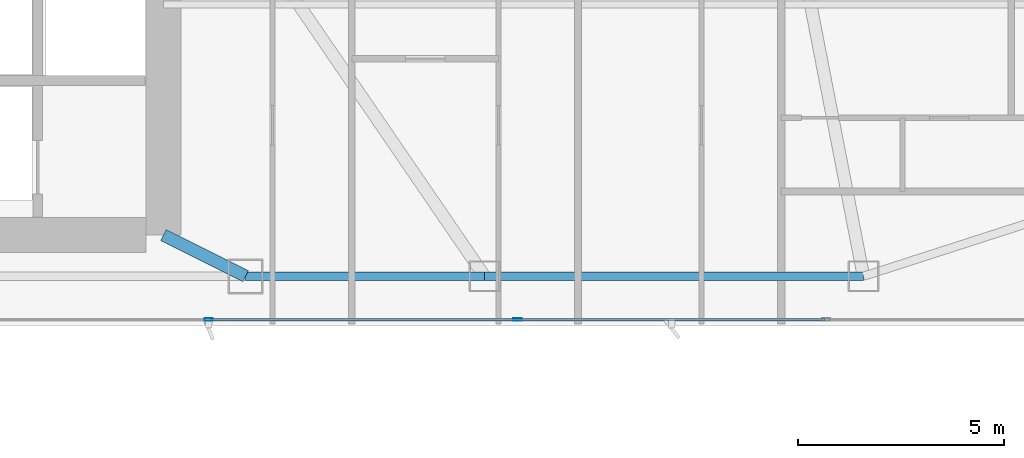
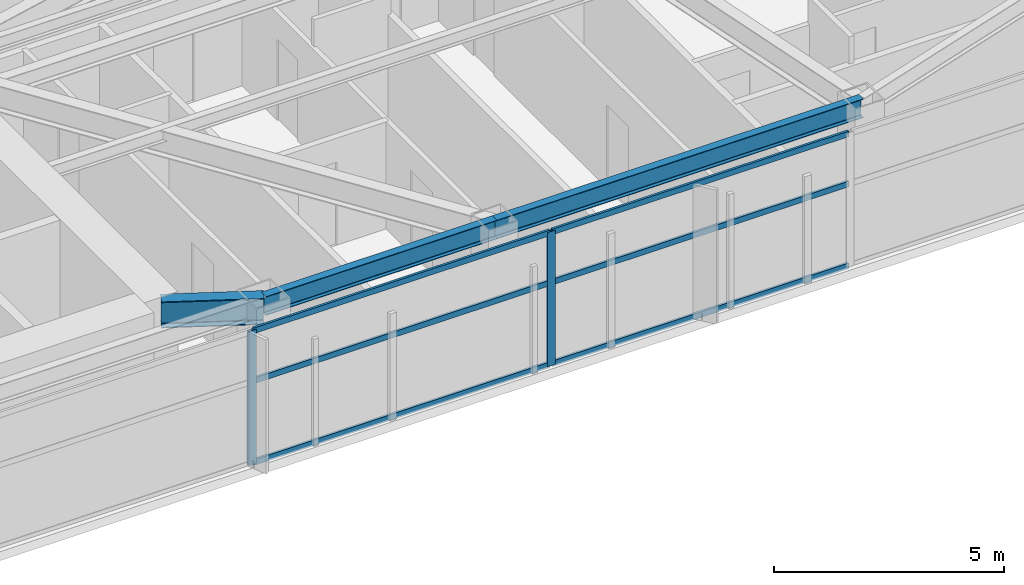
# One storey, part 12 of 29: 8 members, 3 beams, 1 element without a shape of its own.
"""IFC4 building model written with IfcOpenShell, lengths in metres."""

from ifc_helpers import new_model, si_unit, direction, frame, origin, origin_2d, place, context, subcontext, project, spatial, hollow_rectangle, i_section, extrude, material, layer, layer_set, material_profile, profile_set, type_object, element, aggregate, save


model = new_model("IFC4")

# Units and contexts
model_context = context("Model", 3, precision=1e-05, world=origin(), true_north=direction((0.0, 1.0)))
body_context = subcontext(model_context, "Body", "Model", "MODEL_VIEW")
ifc_project = project(units=[si_unit("LENGTHUNIT", "METRE"), si_unit("AREAUNIT", "SQUARE_METRE"), si_unit("VOLUMEUNIT", "CUBIC_METRE"), si_unit("PLANEANGLEUNIT", "RADIAN"), si_unit("MASSUNIT", "GRAM", prefix="KILO")], contexts=[model_context])

# Site, building, storey
site_placement = place(None, origin())
site = spatial("IfcSite", under=ifc_project, at=site_placement, CompositionType="ELEMENT")
building_placement = place(site_placement, origin())
building = spatial("IfcBuilding", under=site, at=building_placement, Name="Calvorn Quay Hotel", CompositionType="ELEMENT")
storey_placement = place(building_placement, frame((0.0, 0.0, 105.0)))
storey = spatial("IfcBuildingStorey", under=building, at=storey_placement, Name="L25", CompositionType="ELEMENT", Elevation=105.0)

# Beams
ifc_material_1 = material(Name="Steel Q390GJC", Category="steel")
ifc_material_profile_1 = material_profile(ifc_material_1, i_section(OverallWidth=0.300048828125, OverallDepth=0.699951171875, WebThickness=0.012939453125, FlangeThickness=0.02392578125, FilletRadius=0.02392578125, at=origin_2d()), Name="HN700x300x13x24")
ifc_profile_set_1 = profile_set([ifc_material_profile_1], Name="Steel Q390GJC")
beam_type_1 = type_object("IfcBeamType", Name="BM-GIRD-MAIN", PredefinedType="BEAM", material=ifc_profile_set_1)
beam_1_placement = place(storey_placement, frame((34.39990234375, 3.60009765625, 3.18994140625), z_axis=(-0.894427191, 0.4472135955, 0.0), x_axis=(-0.4472135955, -0.894427191, 0.0)))
element("IfcBeam", 1, at=beam_1_placement, inside=storey, type_object=beam_type_1, Name="Beam BG-L25-S3", PredefinedType="BEAM", context=body_context, shape_type="SweptSolid", body=[
    extrude(i_section(OverallWidth=0.300048828125, OverallDepth=0.699951171875, WebThickness=0.012939453125, FlangeThickness=0.02392578125, FilletRadius=0.02392578125, at=origin_2d()), origin(), (0.0, 0.0, 1.0), 2.236083984375),
])
ifc_material_2 = material(Name="Steel Q355B", Category="steel")
ifc_material_profile_2 = material_profile(ifc_material_2, i_section(OverallWidth=0.199951171875, OverallDepth=0.5, WebThickness=0.010009765625, FlangeThickness=0.01611328125, FilletRadius=0.01611328125, at=origin_2d()), Name="HN500x200x10x16")
ifc_profile_set_2 = profile_set([ifc_material_profile_2], Name="Steel Q355B")
beam_type_2 = type_object("IfcBeamType", Name="BM-SPANDREL-Z1", PredefinedType="SPANDREL", material=ifc_profile_set_2)
beam_2_placement = place(storey_placement, frame((34.39990234375, 3.60009765625, 3.2900390625), z_axis=(1.0, 0.0, 0.0), x_axis=(0.0, 1.0, 0.0)))
element("IfcBeam", 2, at=beam_2_placement, inside=storey, type_object=beam_type_2, Name="Beam BSP-L25-S4", PredefinedType="SPANDREL", context=body_context, shape_type="SweptSolid", body=[
    extrude(i_section(OverallWidth=0.199951171875, OverallDepth=0.5, WebThickness=0.010009765625, FlangeThickness=0.01611328125, FilletRadius=0.01611328125, at=origin_2d()), origin(), (0.0, 0.0, 1.0), 5.800048828125),
])
beam_3_placement = place(storey_placement, frame((40.199951171875, 3.60009765625, 3.2900390625), z_axis=(1.0, 0.0, 0.0), x_axis=(0.0, 1.0, 0.0)))
element("IfcBeam", 3, at=beam_3_placement, inside=storey, type_object=beam_type_2, Name="Beam BSP-L25-S5", PredefinedType="SPANDREL", context=body_context, shape_type="SweptSolid", body=[
    extrude(i_section(OverallWidth=0.199951171875, OverallDepth=0.5, WebThickness=0.010009765625, FlangeThickness=0.01611328125, FilletRadius=0.01611328125, at=origin_2d()), origin(), (0.0, 0.0, 1.0), 9.199951171875),
])

# Curtain wall, members
ifc_material_3 = material(Name="Pale Anodised Aluminium and Low-E Glass", Category="aluminium")
ifc_layer = layer(ifc_material_3, 0.219970703125)
ifc_layer_set = layer_set([ifc_layer], Name="CW-SYS-Z2")
curtain_wall_type = type_object("IfcCurtainWallType", Name="CW-SYS-Z2", PredefinedType="NOTDEFINED", material=ifc_layer_set)
curtain_wall_placement = place(storey_placement, origin())
curtain_wall = element("IfcCurtainWall", 4, at=curtain_wall_placement, inside=storey, type_object=curtain_wall_type, Name="Tower South Waterfront Curtain Wall (L25)", PredefinedType="NOTDEFINED")
ifc_material_4 = material(Name="Pale Anodised Aluminium 6063-T6", Category="aluminium")
ifc_material_profile_3 = material_profile(ifc_material_4, hollow_rectangle(XDim=0.070068359375, YDim=0.199951171875, WallThickness=0.00390625, at=origin_2d()), Name="ALU-M200x70x4")
ifc_profile_set_3 = profile_set([ifc_material_profile_3], Name="Pale Anodised Aluminium 6063-T6")
member_type_1 = type_object("IfcMemberType", Name="CW-SYS-Z2-MUL", PredefinedType="MULLION", material=ifc_profile_set_3)
member_1_placement = place(storey_placement, frame((33.5, 2.550048828125, 0.0), z_axis=(0.0, 0.0, 1.0), x_axis=(0.0, 1.0, 0.0)))
member_1 = element("IfcMember", 5, at=member_1_placement, type_object=member_type_1, Name="CW-L25-S mullion 4", PredefinedType="MULLION", context=body_context, shape_type="SweptSolid", body=[
    extrude(hollow_rectangle(XDim=0.070068359375, YDim=0.199951171875, WallThickness=0.00390625, at=origin_2d()), origin(), (0.0, 0.0, 1.0), 3.56005859375),
])
member_2_placement = place(storey_placement, frame((41.0, 2.550048828125, 0.0), z_axis=(0.0, 0.0, 1.0), x_axis=(0.0, 1.0, 0.0)))
member_2 = element("IfcMember", 6, at=member_2_placement, type_object=member_type_1, Name="CW-L25-S mullion 5", PredefinedType="MULLION", context=body_context, shape_type="SweptSolid", body=[
    extrude(hollow_rectangle(XDim=0.070068359375, YDim=0.199951171875, WallThickness=0.00390625, at=origin_2d()), origin(), (0.0, 0.0, 1.0), 3.56005859375),
])
ifc_material_5 = material(Name="Pale Anodised Aluminium 6063-T6", Category="aluminium")
ifc_material_profile_4 = material_profile(ifc_material_5, hollow_rectangle(XDim=0.06005859375, YDim=0.14990234375, WallThickness=0.00341796875, at=origin_2d()), Name="ALU-T150x60x3.5")
ifc_profile_set_4 = profile_set([ifc_material_profile_4], Name="Pale Anodised Aluminium 6063-T6")
member_type_2 = type_object("IfcMemberType", Name="CW-SYS-Z2-TRN", PredefinedType="USERDEFINED", material=ifc_profile_set_4)
member_3_placement = place(storey_placement, frame((33.530029296875, 2.550048828125, 0.030029296875), z_axis=(1.0, 0.0, 0.0), x_axis=(0.0, 1.0, 0.0)))
member_3 = element("IfcMember", 7, at=member_3_placement, type_object=member_type_2, Name="CW-L25-S transom 4.1", ObjectType="TRANSOM", PredefinedType="USERDEFINED", context=body_context, shape_type="SweptSolid", body=[
    extrude(hollow_rectangle(XDim=0.06005859375, YDim=0.14990234375, WallThickness=0.00341796875, at=origin_2d()), origin(), (0.0, 0.0, 1.0), 7.43994140625),
])
member_4_placement = place(storey_placement, frame((33.530029296875, 2.550048828125, 2.199951171875), z_axis=(1.0, 0.0, 0.0), x_axis=(0.0, 1.0, 0.0)))
member_4 = element("IfcMember", 8, at=member_4_placement, type_object=member_type_2, Name="CW-L25-S transom 4.2", ObjectType="TRANSOM", PredefinedType="USERDEFINED", context=body_context, shape_type="SweptSolid", body=[
    extrude(hollow_rectangle(XDim=0.06005859375, YDim=0.14990234375, WallThickness=0.00341796875, at=origin_2d()), origin(), (0.0, 0.0, 1.0), 7.43994140625),
])
member_5_placement = place(storey_placement, frame((33.530029296875, 2.550048828125, 3.530029296875), z_axis=(1.0, 0.0, 0.0), x_axis=(0.0, 1.0, 0.0)))
member_5 = element("IfcMember", 9, at=member_5_placement, type_object=member_type_2, Name="CW-L25-S transom 4.3", ObjectType="TRANSOM", PredefinedType="USERDEFINED", context=body_context, shape_type="SweptSolid", body=[
    extrude(hollow_rectangle(XDim=0.06005859375, YDim=0.14990234375, WallThickness=0.00341796875, at=origin_2d()), origin(), (0.0, 0.0, 1.0), 7.43994140625),
])
member_6_placement = place(storey_placement, frame((41.030029296875, 2.550048828125, 0.030029296875), z_axis=(1.0, 0.0, 0.0), x_axis=(0.0, 1.0, 0.0)))
member_6 = element("IfcMember", 10, at=member_6_placement, type_object=member_type_2, Name="CW-L25-S transom 5.1", ObjectType="TRANSOM", PredefinedType="USERDEFINED", context=body_context, shape_type="SweptSolid", body=[
    extrude(hollow_rectangle(XDim=0.06005859375, YDim=0.14990234375, WallThickness=0.00341796875, at=origin_2d()), origin(), (0.0, 0.0, 1.0), 7.43994140625),
])
member_7_placement = place(storey_placement, frame((41.030029296875, 2.550048828125, 2.199951171875), z_axis=(1.0, 0.0, 0.0), x_axis=(0.0, 1.0, 0.0)))
member_7 = element("IfcMember", 11, at=member_7_placement, type_object=member_type_2, Name="CW-L25-S transom 5.2", ObjectType="TRANSOM", PredefinedType="USERDEFINED", context=body_context, shape_type="SweptSolid", body=[
    extrude(hollow_rectangle(XDim=0.06005859375, YDim=0.14990234375, WallThickness=0.00341796875, at=origin_2d()), origin(), (0.0, 0.0, 1.0), 7.43994140625),
])
member_8_placement = place(storey_placement, frame((41.030029296875, 2.550048828125, 3.530029296875), z_axis=(1.0, 0.0, 0.0), x_axis=(0.0, 1.0, 0.0)))
member_8 = element("IfcMember", 12, at=member_8_placement, type_object=member_type_2, Name="CW-L25-S transom 5.3", ObjectType="TRANSOM", PredefinedType="USERDEFINED", context=body_context, shape_type="SweptSolid", body=[
    extrude(hollow_rectangle(XDim=0.06005859375, YDim=0.14990234375, WallThickness=0.00341796875, at=origin_2d()), origin(), (0.0, 0.0, 1.0), 7.43994140625),
])
aggregate(curtain_wall, [member_1, member_2, member_3, member_4, member_5, member_6, member_7, member_8])

save(model, "model.ifc")
